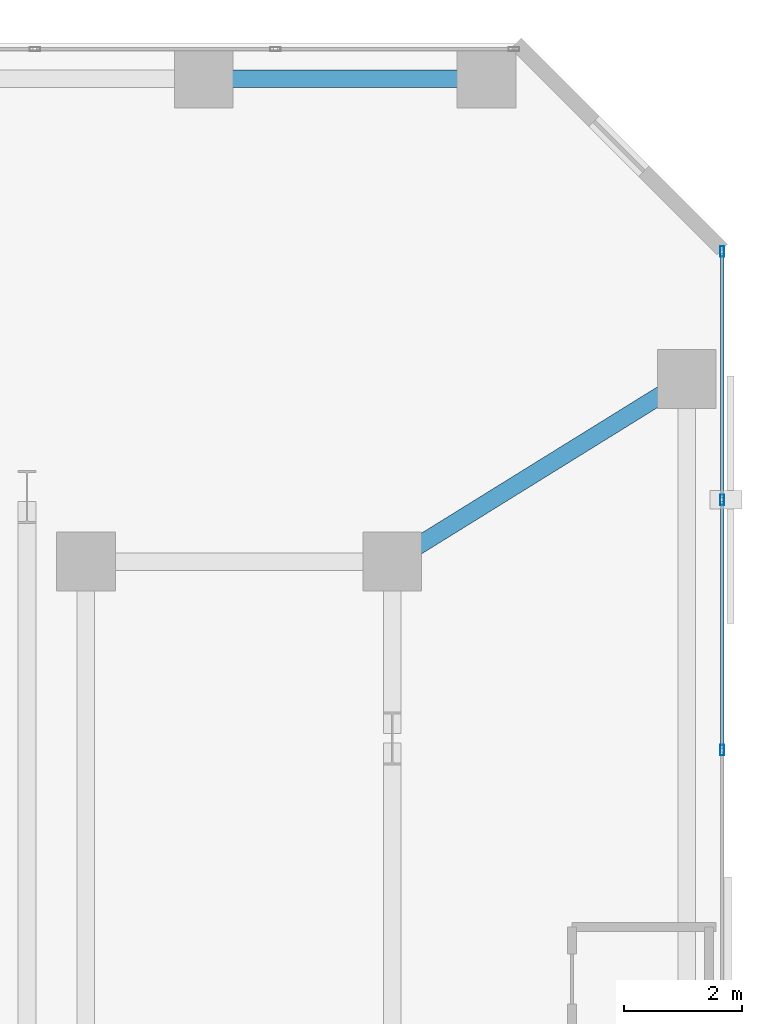
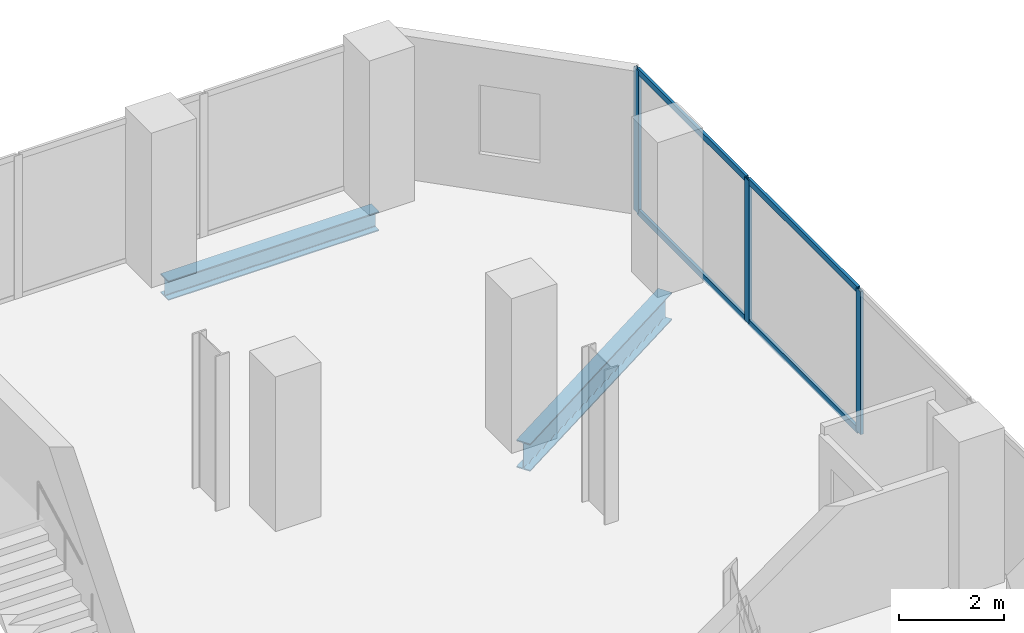
# One storey, part 23 of 32: 7 members, 2 beams, 1 element without a shape of its own.
"""IFC4 building model written with IfcOpenShell, lengths in metres."""

from ifc_helpers import new_model, si_unit, direction, frame, origin, origin_2d, place, context, subcontext, project, spatial, hollow_rectangle, i_section, extrude, material, layer, layer_set, material_profile, profile_set, type_object, element, aggregate, save


model = new_model("IFC4")

# Units and contexts
model_context = context("Model", 3, precision=1e-05, world=origin(), true_north=direction((0.0, 1.0)))
body_context = subcontext(model_context, "Body", "Model", "MODEL_VIEW")
ifc_project = project(units=[si_unit("LENGTHUNIT", "METRE"), si_unit("AREAUNIT", "SQUARE_METRE"), si_unit("VOLUMEUNIT", "CUBIC_METRE"), si_unit("PLANEANGLEUNIT", "RADIAN"), si_unit("MASSUNIT", "GRAM", prefix="KILO")], contexts=[model_context])

# Site, building, storey
site_placement = place(None, origin())
site = spatial("IfcSite", under=ifc_project, at=site_placement, CompositionType="ELEMENT")
building_placement = place(site_placement, origin())
building = spatial("IfcBuilding", under=site, at=building_placement, Name="Catumbela Crestline Tower", CompositionType="ELEMENT")
storey_placement = place(building_placement, frame((0.0, 0.0, 33.0)))
storey = spatial("IfcBuildingStorey", under=building, at=storey_placement, Name="L07", CompositionType="ELEMENT", Elevation=33.0)

# Beam
ifc_material_1 = material(Name="Structural steel S355J2", Category="steel")
ifc_material_profile_1 = material_profile(ifc_material_1, i_section(OverallWidth=0.3, OverallDepth=0.64, WebThickness=0.0135, FlangeThickness=0.026, FilletRadius=0.027, at=origin_2d()), Name="HEA 650")
ifc_profile_set_1 = profile_set([ifc_material_profile_1], Name="Structural steel S355J2")
beam_type_1 = type_object("IfcBeamType", Name="BG-HEA650", PredefinedType="BEAM", material=ifc_profile_set_1)
beam_1_placement = place(storey_placement, frame((50.468, 39.2422, -0.58), z_axis=(0.849908952007, 0.526929571479, 0.0), x_axis=(-0.526929571479, 0.849908952007, 0.0)))
element("IfcBeam", 1, at=beam_1_placement, inside=storey, type_object=beam_type_1, Name="L07 Beam BM-L07-N18", PredefinedType="BEAM", context=body_context, shape_type="SweptSolid", body=[
    extrude(i_section(OverallWidth=0.3, OverallDepth=0.64, WebThickness=0.0135, FlangeThickness=0.026, FilletRadius=0.027, at=origin_2d()), origin(), (0.0, 0.0, 1.0), 5.723),
])

# Curtain wall, members
ifc_material_2 = material(Name="Aluminium alloy AW-6060-T66", Category="aluminium")
ifc_layer = layer(ifc_material_2, 0.18, Name="Aluminium alloy AW-6060-T66")
ifc_layer_set = layer_set([ifc_layer], Name="Aluminium alloy AW-6060-T66")
curtain_wall_type = type_object("IfcCurtainWallType", Name="CWU-Z1", PredefinedType="USERDEFINED", material=ifc_layer_set)
curtain_wall_placement = place(storey_placement, origin())
curtain_wall = element("IfcCurtainWall", 2, at=curtain_wall_placement, inside=storey, type_object=curtain_wall_type, Name="L07 Unitised Curtain Wall CW-L07-E5S1", ObjectType="UNITISED", PredefinedType="USERDEFINED")
ifc_material_profile_2 = material_profile(ifc_material_2, hollow_rectangle(XDim=0.065, YDim=0.18, WallThickness=0.004, at=origin_2d()), Name="ALU 180x65x4")
ifc_profile_set_2 = profile_set([ifc_material_profile_2], Name="Aluminium alloy AW-6060-T66")
member_type_1 = type_object("IfcMemberType", Name="MUL-180X65", PredefinedType="MULLION", material=ifc_profile_set_2)
member_1_placement = place(storey_placement, frame((56.0, 36.0, 0.0), z_axis=(0.0, 0.0, 1.0), x_axis=(-1.0, 0.0, 0.0)))
member_1 = element("IfcMember", 3, at=member_1_placement, type_object=member_type_1, Name="CWU-Z1 mullion 3", PredefinedType="MULLION", context=body_context, shape_type="SweptSolid", body=[
    extrude(hollow_rectangle(XDim=0.065, YDim=0.18, WallThickness=0.004, at=origin_2d()), origin(), (0.0, 0.0, 1.0), 3.33),
])
member_2_placement = place(storey_placement, frame((56.0, 40.25, 0.0), z_axis=(0.0, 0.0, 1.0), x_axis=(-1.0, 0.0, 0.0)))
member_2 = element("IfcMember", 4, at=member_2_placement, type_object=member_type_1, Name="CWU-Z1 mullion 4", PredefinedType="MULLION", context=body_context, shape_type="SweptSolid", body=[
    extrude(hollow_rectangle(XDim=0.065, YDim=0.18, WallThickness=0.004, at=origin_2d()), origin(), (0.0, 0.0, 1.0), 3.33),
])
member_3_placement = place(storey_placement, frame((56.0, 44.4675, 0.0), z_axis=(0.0, 0.0, 1.0), x_axis=(-1.0, 0.0, 0.0)))
member_3 = element("IfcMember", 5, at=member_3_placement, type_object=member_type_1, Name="CWU-Z1 mullion 5", PredefinedType="MULLION", context=body_context, shape_type="SweptSolid", body=[
    extrude(hollow_rectangle(XDim=0.065, YDim=0.18, WallThickness=0.004, at=origin_2d()), origin(), (0.0, 0.0, 1.0), 3.33),
])

# Beam
ifc_material_profile_3 = material_profile(ifc_material_1, i_section(OverallWidth=0.3, OverallDepth=0.45, WebThickness=0.014, FlangeThickness=0.026, FilletRadius=0.027, at=origin_2d()), Name="HEB 450")
ifc_profile_set_3 = profile_set([ifc_material_profile_3], Name="Structural steel S355J2")
beam_type_2 = type_object("IfcBeamType", Name="BS-HEB450", PredefinedType="SPANDREL", material=ifc_profile_set_3)
beam_2_placement = place(storey_placement, frame((47.28, 47.4, -0.485), z_axis=(1.0, 0.0, 0.0), x_axis=(0.0, 1.0, 0.0)))
element("IfcBeam", 6, at=beam_2_placement, inside=storey, type_object=beam_type_2, Name="L07 Spandrel SP-L07-NF24", PredefinedType="SPANDREL", context=body_context, shape_type="SweptSolid", body=[
    extrude(i_section(OverallWidth=0.3, OverallDepth=0.45, WebThickness=0.014, FlangeThickness=0.026, FilletRadius=0.027, at=origin_2d()), origin(), (0.0, 0.0, 1.0), 4.64),
])

# Member
ifc_material_profile_4 = material_profile(ifc_material_2, hollow_rectangle(XDim=0.06, YDim=0.14, WallThickness=0.004, at=origin_2d()), Name="ALU 140x60x4")
ifc_profile_set_4 = profile_set([ifc_material_profile_4], Name="Aluminium alloy AW-6060-T66")
member_type_2 = type_object("IfcMemberType", Name="TRN-140X60", PredefinedType="USERDEFINED", material=ifc_profile_set_4)
member_4_placement = place(storey_placement, frame((56.0, 36.0325, 0.03), z_axis=(0.0, 1.0, 0.0), x_axis=(-1.0, 0.0, 0.0)))
member_4 = element("IfcMember", 7, at=member_4_placement, type_object=member_type_2, Name="CWU-Z1 transom 3.1", ObjectType="TRANSOM", PredefinedType="USERDEFINED", context=body_context, shape_type="SweptSolid", body=[
    extrude(hollow_rectangle(XDim=0.06, YDim=0.14, WallThickness=0.004, at=origin_2d()), origin(), (0.0, 0.0, 1.0), 4.185),
])

member_5_placement = place(storey_placement, frame((56.0, 36.0325, 3.3), z_axis=(0.0, 1.0, 0.0), x_axis=(-1.0, 0.0, 0.0)))
member_5 = element("IfcMember", 8, at=member_5_placement, type_object=member_type_2, Name="CWU-Z1 transom 3.2", ObjectType="TRANSOM", PredefinedType="USERDEFINED", context=body_context, shape_type="SweptSolid", body=[
    extrude(hollow_rectangle(XDim=0.06, YDim=0.14, WallThickness=0.004, at=origin_2d()), origin(), (0.0, 0.0, 1.0), 4.185),
])

member_6_placement = place(storey_placement, frame((56.0, 40.2825, 0.03), z_axis=(0.0, 1.0, 0.0), x_axis=(-1.0, 0.0, 0.0)))
member_6 = element("IfcMember", 9, at=member_6_placement, type_object=member_type_2, Name="CWU-Z1 transom 4.1", ObjectType="TRANSOM", PredefinedType="USERDEFINED", context=body_context, shape_type="SweptSolid", body=[
    extrude(hollow_rectangle(XDim=0.06, YDim=0.14, WallThickness=0.004, at=origin_2d()), origin(), (0.0, 0.0, 1.0), 4.1525),
])

member_7_placement = place(storey_placement, frame((56.0, 40.2825, 3.3), z_axis=(0.0, 1.0, 0.0), x_axis=(-1.0, 0.0, 0.0)))
member_7 = element("IfcMember", 10, at=member_7_placement, type_object=member_type_2, Name="CWU-Z1 transom 4.2", ObjectType="TRANSOM", PredefinedType="USERDEFINED", context=body_context, shape_type="SweptSolid", body=[
    extrude(hollow_rectangle(XDim=0.06, YDim=0.14, WallThickness=0.004, at=origin_2d()), origin(), (0.0, 0.0, 1.0), 4.1525),
])

aggregate(curtain_wall, [member_1, member_2, member_3, member_4, member_5, member_6, member_7])

save(model, "model.ifc")
